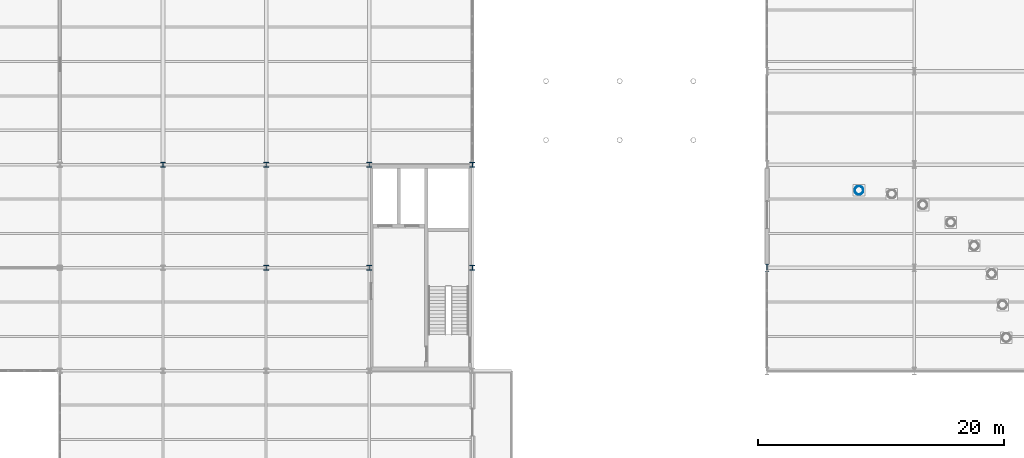
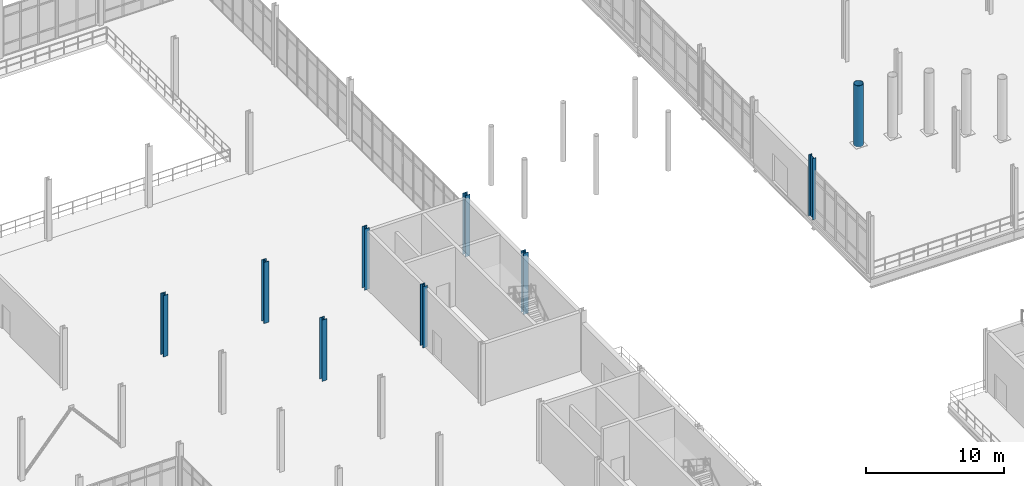
# One storey, part 11 of 111: 9 columns.
"""IFC4 building model written with IfcOpenShell, lengths in metres."""

from ifc_helpers import new_model, si_unit, direction, frame, origin, origin_2d, place, context, subcontext, project, spatial, hollow_circle, i_section, extrude, material, material_profile, profile_set, type_object, element, save


model = new_model("IFC4")

# Units and contexts
model_context = context("Model", 3, precision=1e-05, world=origin(), true_north=direction((0.0, 1.0)))
body_context = subcontext(model_context, "Body", "Model", "MODEL_VIEW")
ifc_project = project(units=[si_unit("LENGTHUNIT", "METRE"), si_unit("AREAUNIT", "SQUARE_METRE"), si_unit("VOLUMEUNIT", "CUBIC_METRE"), si_unit("PLANEANGLEUNIT", "RADIAN"), si_unit("MASSUNIT", "GRAM", prefix="KILO"), si_unit("THERMODYNAMICTEMPERATUREUNIT", "KELVIN"), si_unit("POWERUNIT", "WATT")], contexts=[model_context])

# Site, building, storey
site_placement = place(None, origin())
site = spatial("IfcSite", under=ifc_project, at=site_placement, CompositionType="ELEMENT")
building_placement = place(site_placement, origin())
building = spatial("IfcBuilding", under=site, at=building_placement, Name="Tembeka Court Mobility Hub", CompositionType="ELEMENT")
storey_placement = place(building_placement, origin())
storey = spatial("IfcBuildingStorey", under=building, at=storey_placement, Name="L00", CompositionType="ELEMENT", Elevation=0.0)

# Columns
ifc_material = material(Name="Steel S355", Category="steel")
ifc_material_profile_1 = material_profile(ifc_material, i_section(OverallWidth=0.39892578125, OverallDepth=0.39404296875, WebThickness=0.022705078125, FlangeThickness=0.03662109375, FilletRadius=0.01513671875, at=origin_2d()), Name="UKC 356x406x287")
ifc_profile_set_1 = profile_set([ifc_material_profile_1], Name="Steel S355")
column_type_1 = type_object("IfcColumnType", Name="COL-C01", PredefinedType="COLUMN", material=ifc_profile_set_1)
for number, where, z_axis, x_axis, name in (
    (1, (67.199951171875, 80.39990234375, 0.0), (0.0, 0.0, 1.0), (1.0, 0.0, 0.0), "Column C01 (L00-100)"),
    (2, (75.60009765625, 72.0, 0.0), (0.0, 0.0, 1.0), (1.0, 0.0, 0.0), "Column C01 (L00-109)"),
    (3, (75.60009765625, 80.39990234375, 0.0), (0.0, 0.0, 1.0), (1.0, 0.0, 0.0), "Column C01 (L00-110)"),
    (4, (84.0, 72.0, 0.0), (0.0, 0.0, 1.0), (1.0, 0.0, 0.0), "Column C01 (L00-120)"),
    (5, (84.0, 80.39990234375, 0.0), (0.0, 0.0, 1.0), (1.0, 0.0, 0.0), "Column C01 (L00-121)"),
    (6, (92.39990234375, 72.0, 0.0), (0.0, 0.0, 1.0), (1.0, 0.0, 0.0), "Column C01 (L00-132)"),
    (7, (92.39990234375, 80.39990234375, 0.0), (0.0, 0.0, 1.0), (1.0, 0.0, 0.0), "Column C01 (L00-133)"),
):
    element("IfcColumn", number, at=place(storey_placement, frame(where, z_axis=z_axis, x_axis=x_axis)), inside=storey, type_object=column_type_1, Name=name, PredefinedType="COLUMN", context=body_context, shape_type="SweptSolid", body=[
        extrude(i_section(OverallWidth=0.39892578125, OverallDepth=0.39404296875, WebThickness=0.022705078125, FlangeThickness=0.03662109375, FilletRadius=0.01513671875, at=origin_2d()), origin(), (0.0, 0.0, 1.0), 5.39990234375),
    ])
ifc_material_profile_2 = material_profile(ifc_material, i_section(OverallWidth=0.300048828125, OverallDepth=0.60009765625, WebThickness=0.015380859375, FlangeThickness=0.030029296875, FilletRadius=0.027099609375, at=origin_2d()), Name="HEB 600")
ifc_profile_set_2 = profile_set([ifc_material_profile_2], Name="Steel S355")
column_type_2 = type_object("IfcColumnType", Name="COL-C06", PredefinedType="COLUMN", material=ifc_profile_set_2)
column_1_placement = place(storey_placement, frame((116.39990234375, 72.0, 0.0), z_axis=(0.0, 0.0, 1.0), x_axis=(1.0, 0.0, 0.0)))
element("IfcColumn", 8, at=column_1_placement, inside=storey, type_object=column_type_2, Name="Column C06 (L00-163)", PredefinedType="COLUMN", context=body_context, shape_type="SweptSolid", body=[
    extrude(i_section(OverallWidth=0.300048828125, OverallDepth=0.60009765625, WebThickness=0.015380859375, FlangeThickness=0.030029296875, FilletRadius=0.027099609375, at=origin_2d()), origin(), (0.0, 0.0, 1.0), 5.39990234375),
])
ifc_material_profile_3 = material_profile(ifc_material, hollow_circle(Radius=0.35546875, WallThickness=0.02490234375, at=origin_2d()), Name="CHS 711x25")
ifc_profile_set_3 = profile_set([ifc_material_profile_3], Name="Steel S355")
column_type_3 = type_object("IfcColumnType", Name="COL-MST01", PredefinedType="COLUMN", material=ifc_profile_set_3)
column_2_placement = place(storey_placement, frame((123.89990234375, 78.300048828125, 0.0), z_axis=(0.0, 0.0, 1.0), x_axis=(1.0, 0.0, 0.0)))
element("IfcColumn", 9, at=column_2_placement, inside=storey, type_object=column_type_3, Name="Concourse roof mast M8 (L00)", PredefinedType="COLUMN", context=body_context, shape_type="SweptSolid", body=[
    extrude(hollow_circle(Radius=0.35546875, WallThickness=0.02490234375, at=origin_2d()), origin(), (0.0, 0.0, 1.0), 5.39990234375),
])

save(model, "model.ifc")
